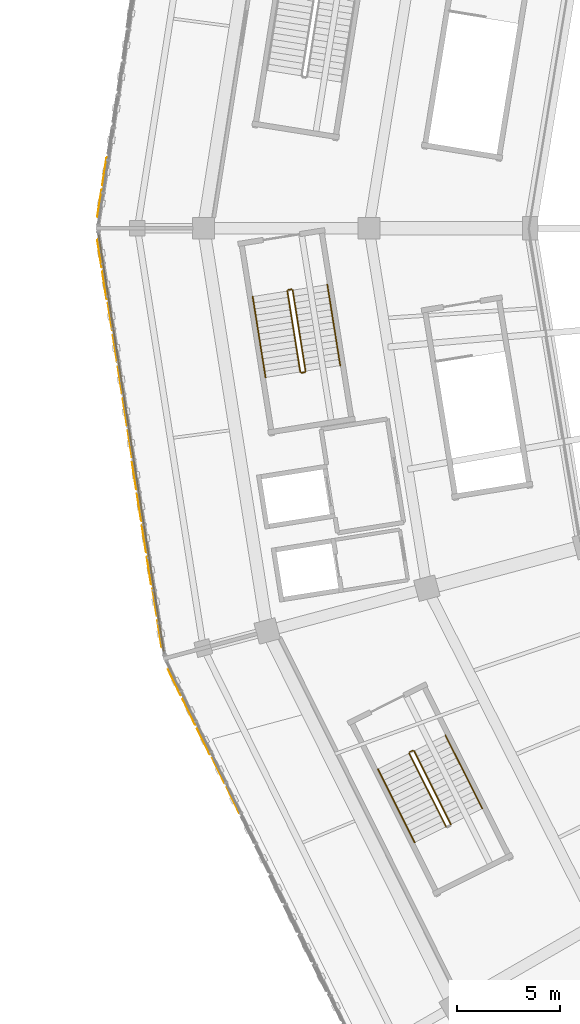
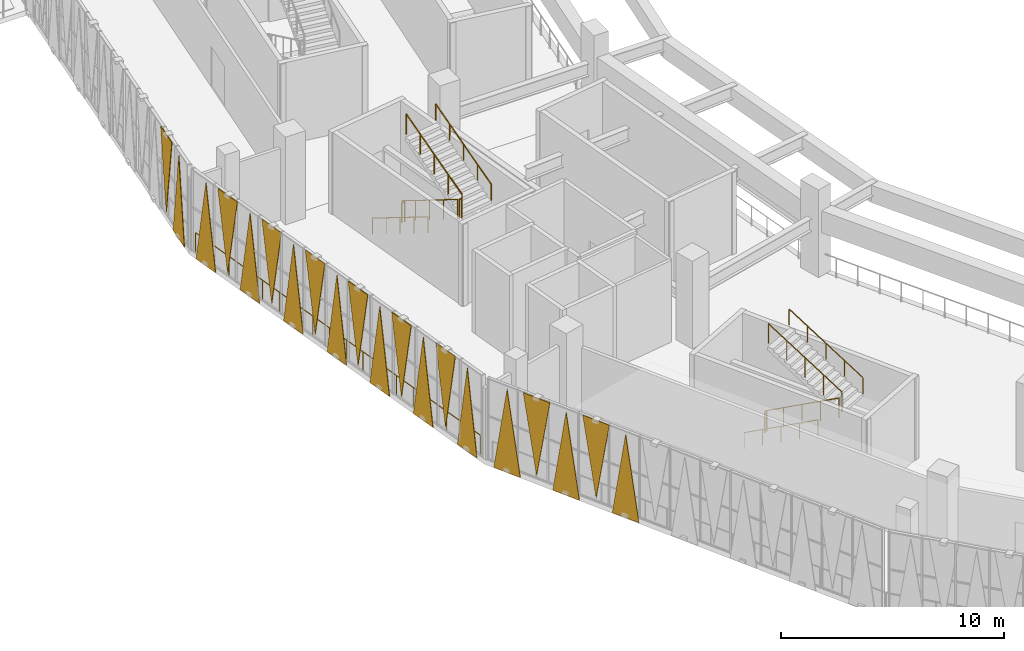
# One storey, part 136 of 179: 20 coverings, 12 railings.
"""IFC4 building model written with IfcOpenShell, lengths in metres."""

from ifc_helpers import new_model, si_unit, direction, frame, origin, origin_2d, place, context, subcontext, project, spatial, polyline, circle, outline, extrude, material, layer, layer_set, type_object, element, save


model = new_model("IFC4")

# Units and contexts
model_context = context("Model", 3, precision=1e-05, world=origin(), true_north=direction((0.0, 1.0)))
body_context = subcontext(model_context, "Body", "Model", "MODEL_VIEW")
ifc_project = project(units=[si_unit("LENGTHUNIT", "METRE"), si_unit("AREAUNIT", "SQUARE_METRE"), si_unit("VOLUMEUNIT", "CUBIC_METRE"), si_unit("PLANEANGLEUNIT", "RADIAN"), si_unit("MASSUNIT", "GRAM", prefix="KILO")], contexts=[model_context])

# Site, building, storey
site_placement = place(None, origin())
site = spatial("IfcSite", under=ifc_project, at=site_placement, CompositionType="ELEMENT")
building_placement = place(site_placement, origin())
building = spatial("IfcBuilding", under=site, at=building_placement, Name="Zevraka Park Crest Stadium", CompositionType="ELEMENT")
storey_placement = place(building_placement, frame((0.0, 0.0, 10.199951171875)))
storey = spatial("IfcBuildingStorey", under=building, at=storey_placement, Name="L02", CompositionType="ELEMENT", Elevation=10.199951171875)

# Coverings
ifc_material_1 = material(Name="Architectural golden-bronze perforated aluminium", Category="aluminium")
ifc_layer = layer(ifc_material_1, 0.034912109375)
ifc_layer_set = layer_set([ifc_layer], Name="Architectural golden-bronze perforated aluminium")
covering_type = type_object("IfcCoveringType", Name="CLD01", PredefinedType="CLADDING", material=ifc_layer_set)
covering_1_placement = place(storey_placement, frame((16.821044921875, 94.05810546875, 4.47998046875), z_axis=(0.988028733421, -0.15426992289, 0.000113247605), x_axis=(0.15426992388, 0.988028739757, 0.0)))
element("IfcCovering", 1, at=covering_1_placement, inside=storey, type_object=covering_type, Name="Triangular Golden-Bronze Perforated Cladding L02-11-12", PredefinedType="CLADDING", context=body_context, shape_type="SweptSolid", body=[
    extrude(outline(polyline([(0.0, 0.0), (1.3926483179408142, 0.0), (0.6963994860816766, -4.2600097929423555), (0.0, 0.0)])), origin(), (0.0, 0.0, -1.0), 0.034912109375),
])
covering_2_placement = place(storey_placement, frame((16.797119140625, 93.89990234375, -0.239990234375), z_axis=(0.988001996222, -0.154441050155, 0.000132241406), x_axis=(-0.154441051505, -0.988002004861, 0.0)))
element("IfcCovering", 2, at=covering_2_placement, inside=storey, type_object=covering_type, Name="Triangular Golden-Bronze Perforated Cladding L02-11-13", PredefinedType="CLADDING", context=body_context, shape_type="SweptSolid", body=[
    extrude(outline(polyline([(0.0, 0.0), (1.392686002386334, 0.0), (0.6964372645302674, -4.560058633622674), (0.0, 0.0)])), origin(), (0.0, 0.0, -1.0), 0.034912109375),
])
covering_3_placement = place(storey_placement, frame((16.58203125, 91.47607421875, -0.239990234375), z_axis=(0.988001996222, 0.154441050155, 0.000132241406), x_axis=(0.154441051505, -0.988002004861, 0.0)))
element("IfcCovering", 3, at=covering_3_placement, inside=storey, type_object=covering_type, Name="Triangular Golden-Bronze Perforated Cladding L02-12-1", PredefinedType="CLADDING", context=body_context, shape_type="SweptSolid", body=[
    extrude(outline(polyline([(0.0, 0.0), (1.392686002386334, 0.0), (0.6962487378560668, -4.560058633622674), (0.0, 0.0)])), origin(), (0.0, 0.0, -1.0), 0.034912109375),
])
covering_4_placement = place(storey_placement, frame((17.035888671875, 88.56591796875, 4.47998046875), z_axis=(0.988028733421, 0.15426992289, 0.000113247605), x_axis=(-0.15426992388, 0.988028739757, 0.0)))
element("IfcCovering", 4, at=covering_4_placement, inside=storey, type_object=covering_type, Name="Triangular Golden-Bronze Perforated Cladding L02-12-2", PredefinedType="CLADDING", context=body_context, shape_type="SweptSolid", body=[
    extrude(outline(polyline([(0.0, 0.0), (1.3926483179408142, 0.0), (0.6962488318591378, -4.2600097929423555), (0.0, 0.0)])), origin(), (0.0, 0.0, -1.0), 0.034912109375),
])
covering_5_placement = place(storey_placement, frame((17.06103515625, 88.407958984375, -0.239990234375), z_axis=(-0.988028734228, -0.154269923016, 0.000105795988), x_axis=(0.15426992388, -0.988028739757, 0.0)))
element("IfcCovering", 5, at=covering_5_placement, inside=storey, type_object=covering_type, Name="Triangular Golden-Bronze Perforated Cladding L02-12-3", PredefinedType="CLADDING", context=body_context, shape_type="SweptSolid", body=[
    extrude(outline(polyline([(0.0, 0.0), (1.3926483179408142, 3.3881317890172014e-21), (0.6963994860816766, 4.560058619269892), (0.0, 0.0)])), origin(), (0.0, 0.0, -1.0), 0.034912109375),
])
covering_6_placement = place(storey_placement, frame((17.51611328125, 85.4970703125, 4.47998046875), z_axis=(-0.988001994963, -0.154441049958, 0.000141555676), x_axis=(-0.154441051505, 0.988002004861, 0.0)))
element("IfcCovering", 6, at=covering_6_placement, inside=storey, type_object=covering_type, Name="Triangular Golden-Bronze Perforated Cladding L02-12-4", PredefinedType="CLADDING", context=body_context, shape_type="SweptSolid", body=[
    extrude(outline(polyline([(0.0, 0.0), (1.392686002386334, 0.0), (0.6964372645302674, 4.260009808306059), (0.0, 0.0)])), origin(), (0.0, 0.0, -1.0), 0.034912109375),
])
covering_7_placement = place(storey_placement, frame((17.5400390625, 85.339111328125, -0.239990234375), z_axis=(-0.988032905729, -0.154243206855, 0.000101667427), x_axis=(0.154243207652, -0.988032910835, 0.0)))
element("IfcCovering", 7, at=covering_7_placement, inside=storey, type_object=covering_type, Name="Triangular Golden-Bronze Perforated Cladding L02-12-5", PredefinedType="CLADDING", context=body_context, shape_type="SweptSolid", body=[
    extrude(outline(polyline([(0.0, 0.0), (1.3928895364040654, 0.0), (0.696640691754455, 4.560058617316989), (0.0, 0.0)])), origin(), (0.0, 0.0, -1.0), 0.034912109375),
])
covering_8_placement = place(storey_placement, frame((17.9951171875, 82.428955078125, 4.47998046875), z_axis=(-0.988001994963, -0.154441049958, 0.000141555676), x_axis=(-0.154441051505, 0.988002004861, 0.0)))
element("IfcCovering", 8, at=covering_8_placement, inside=storey, type_object=covering_type, Name="Triangular Golden-Bronze Perforated Cladding L02-12-6", PredefinedType="CLADDING", context=body_context, shape_type="SweptSolid", body=[
    extrude(outline(polyline([(0.0, 0.0), (1.392686002386334, 0.0), (0.6964372645302674, 4.260009808306059), (0.0, 0.0)])), origin(), (0.0, 0.0, -1.0), 0.034912109375),
])
covering_9_placement = place(storey_placement, frame((18.02001953125, 82.27099609375, -0.239990234375), z_axis=(-0.988151922623, -0.153478915641, 1.6434192e-05), x_axis=(0.153478915662, -0.988151922756, 0.0)))
element("IfcCovering", 9, at=covering_9_placement, inside=storey, type_object=covering_type, Name="Triangular Golden-Bronze Perforated Cladding L02-12-7", PredefinedType="CLADDING", context=body_context, shape_type="SweptSolid", body=[
    extrude(outline(polyline([(0.0, 0.0), (1.3934629820473974, 0.0), (0.6962489949676653, 4.560058594365796), (0.0, 0.0)])), origin(), (0.0, 0.0, -1.0), 0.034912109375),
])
covering_10_placement = place(storey_placement, frame((18.47412109375, 79.360107421875, 4.47998046875), z_axis=(0.988002001298, 0.154441050948, 8.4933406e-05), x_axis=(-0.154441051505, 0.988002004861, 0.0)))
element("IfcCovering", 10, at=covering_10_placement, inside=storey, type_object=covering_type, Name="Triangular Golden-Bronze Perforated Cladding L02-12-8", PredefinedType="CLADDING", context=body_context, shape_type="SweptSolid", body=[
    extrude(outline(polyline([(0.0, 0.0), (1.392686002386334, 3.3881317890172014e-21), (0.6962864431909069, -4.260009780990182), (0.0, 0.0)])), origin(), (0.0, 0.0, -1.0), 0.034912109375),
])
covering_11_placement = place(storey_placement, frame((18.4990234375, 79.201904296875, -0.239990234375), z_axis=(0.988001996222, 0.154441050155, 0.000132241406), x_axis=(0.154441051505, -0.988002004861, 0.0)))
element("IfcCovering", 11, at=covering_11_placement, inside=storey, type_object=covering_type, Name="Triangular Golden-Bronze Perforated Cladding L02-12-9", PredefinedType="CLADDING", context=body_context, shape_type="SweptSolid", body=[
    extrude(outline(polyline([(0.0, 0.0), (1.392686002386334, 0.0), (0.6962487378560668, -4.560058633622674), (0.0, 0.0)])), origin(), (0.0, 0.0, -1.0), 0.034912109375),
])
covering_12_placement = place(storey_placement, frame((18.952880859375, 76.2919921875, 4.47998046875), z_axis=(0.988028733421, 0.15426992289, 0.000113247605), x_axis=(-0.15426992388, 0.988028739757, 0.0)))
element("IfcCovering", 12, at=covering_12_placement, inside=storey, type_object=covering_type, Name="Triangular Golden-Bronze Perforated Cladding L02-12-10", PredefinedType="CLADDING", context=body_context, shape_type="SweptSolid", body=[
    extrude(outline(polyline([(0.0, 0.0), (1.3926483179408142, 0.0), (0.6962488318591378, -4.2600097929423555), (0.0, 0.0)])), origin(), (0.0, 0.0, -1.0), 0.034912109375),
])
covering_13_placement = place(storey_placement, frame((18.97802734375, 76.133056640625, -0.239990234375), z_axis=(0.988001996222, 0.154441050155, 0.000132241406), x_axis=(0.154441051505, -0.988002004861, 0.0)))
element("IfcCovering", 13, at=covering_13_placement, inside=storey, type_object=covering_type, Name="Triangular Golden-Bronze Perforated Cladding L02-12-11", PredefinedType="CLADDING", context=body_context, shape_type="SweptSolid", body=[
    extrude(outline(polyline([(0.0, 0.0), (1.392686002386334, 0.0), (0.6962487378560668, -4.560058633622674), (0.0, 0.0)])), origin(), (0.0, 0.0, -1.0), 0.034912109375),
])
covering_14_placement = place(storey_placement, frame((19.43310546875, 73.222900390625, 4.47998046875), z_axis=(-0.988006174558, -0.154414305444, 0.000145981007), x_axis=(-0.154414307089, 0.988006185085, 0.0)))
element("IfcCovering", 14, at=covering_14_placement, inside=storey, type_object=covering_type, Name="Triangular Golden-Bronze Perforated Cladding L02-12-12", PredefinedType="CLADDING", context=body_context, shape_type="SweptSolid", body=[
    extrude(outline(polyline([(0.0, 0.0), (1.3929272143236278, 0.0), (0.6964372479516526, 4.260009811016373), (0.0, 0.0)])), origin(), (0.0, 0.0, -1.0), 0.034912109375),
])
covering_15_placement = place(storey_placement, frame((19.45703125, 73.06494140625, -0.239990234375), z_axis=(-0.988002001751, -0.154441051019, 7.9344844e-05), x_axis=(0.154441051505, -0.988002004861, 0.0)))
element("IfcCovering", 15, at=covering_15_placement, inside=storey, type_object=covering_type, Name="Triangular Golden-Bronze Perforated Cladding L02-12-13", PredefinedType="CLADDING", context=body_context, shape_type="SweptSolid", body=[
    extrude(outline(polyline([(0.0, 0.0), (1.392686002386334, 0.0), (0.6963995591954273, 4.560058608104163), (0.0, 0.0)])), origin(), (0.0, 0.0, -1.0), 0.034912109375),
])
covering_16_placement = place(storey_placement, frame((19.988037109375, 70.68896484375, -0.239990234375), z_axis=(0.897302423981, 0.441416274973, 0.000179183893), x_axis=(0.441416282059, -0.897302438386, 0.0)))
element("IfcCovering", 16, at=covering_16_placement, inside=storey, type_object=covering_type, Name="Triangular Golden-Bronze Perforated Cladding L02-13-1", PredefinedType="CLADDING", context=body_context, shape_type="SweptSolid", body=[
    extrude(outline(polyline([(0.0, 0.0), (1.4341488213161262, 0.0), (0.7173526614858992, -4.560058666954599), (0.0, 0.0)])), origin(), (0.0, 0.0, -1.0), 0.034912109375),
])
covering_17_placement = place(storey_placement, frame((21.323974609375, 67.969970703125, 4.47998046875), z_axis=(0.897468090022, 0.441079370248, 0.000128584459), x_axis=(-0.441079373894, 0.897468097441, 0.0)))
element("IfcCovering", 17, at=covering_17_placement, inside=storey, type_object=covering_type, Name="Triangular Golden-Bronze Perforated Cladding L02-13-2", PredefinedType="CLADDING", context=body_context, shape_type="SweptSolid", body=[
    extrude(outline(polyline([(0.0, 0.0), (1.4352442623555979, 0.0), (0.7173529176927561, -4.260009800842423), (0.0, 0.0)])), origin(), (0.0, 0.0, -1.0), 0.034912109375),
])
covering_18_placement = place(storey_placement, frame((21.39501953125, 67.826904296875, -0.239990234375), z_axis=(0.897704327288, 0.44059838926, 1.223648e-05), x_axis=(0.440598389293, -0.897704327355, 0.0)))
element("IfcCovering", 18, at=covering_18_placement, inside=storey, type_object=covering_type, Name="Triangular Golden-Bronze Perforated Cladding L02-13-3", PredefinedType="CLADDING", context=body_context, shape_type="SweptSolid", body=[
    extrude(outline(polyline([(0.0, 0.0), (1.4345946183297689, -8.470329472543003e-22), (0.7171339421340435, -4.560058594091393), (0.0, 0.0)])), origin(), (0.0, 0.0, -1.0), 0.034912109375),
])
covering_19_placement = place(storey_placement, frame((22.73095703125, 65.10791015625, 4.47998046875), z_axis=(-0.897335593243, -0.441348860637, 0.000127726581), x_axis=(-0.441348864237, 0.897335600562, 0.0)))
element("IfcCovering", 19, at=covering_19_placement, inside=storey, type_object=covering_type, Name="Triangular Golden-Bronze Perforated Cladding L02-13-4", PredefinedType="CLADDING", context=body_context, shape_type="SweptSolid", body=[
    extrude(outline(polyline([(0.0, 0.0), (1.4343678933426742, 1.3552527156068805e-20), (0.7169074213039619, 4.26000980037407), (0.0, 0.0)])), origin(), (0.0, 0.0, -1.0), 0.034912109375),
])
covering_20_placement = place(storey_placement, frame((22.801025390625, 64.964111328125, -0.239990234375), z_axis=(-0.89746809511, -0.441079372749, 7.2074213e-05), x_axis=(0.441079373894, -0.897468097441, 0.0)))
element("IfcCovering", 20, at=covering_20_placement, inside=storey, type_object=covering_type, Name="Triangular Golden-Bronze Perforated Cladding L02-13-5", PredefinedType="CLADDING", context=body_context, shape_type="SweptSolid", body=[
    extrude(outline(polyline([(0.0, 0.0), (1.4352442623555979, 6.776263578034403e-21), (0.7177836592688246, 4.56005860559405), (0.0, 0.0)])), origin(), (0.0, 0.0, -1.0), 0.034912109375),
])

# Railings
ifc_material_2 = material(Name="Galvanised and bronze-finished steel balustrade", Category="steel")
railing_type_1 = type_object("IfcRailingType", Name="GR01", PredefinedType="GUARDRAIL", material=ifc_material_2)
railing_1_placement = place(storey_placement, frame((19.764892578125, 71.551025390625, 0.0)))
element("IfcRailing", 21, at=railing_1_placement, inside=storey, type_object=railing_type_1, Name="Deck Edge Protection Guardrail GR01 L02-48", PredefinedType="GUARDRAIL", context=body_context, shape_type="SweptSolid", body=[
    extrude(circle(Radius=0.02392578125, at=origin_2d()), frame((0.0, 0.0, 1.076171875), z_axis=(-0.154331460215, 0.988019129566, 0.0), x_axis=(-0.988019129566, -0.154331460215, 0.0)), (0.0, 0.0, 1.0), 20.33251953125),
    extrude(circle(Radius=0.02099609375, at=origin_2d()), origin(), (0.0, 0.0, 1.0), 1.052001953125),
    extrude(circle(Radius=0.02099609375, at=origin_2d()), frame((-0.1845703125, 1.181640625, 0.0)), (0.0, 0.0, 1.0), 1.052001953125),
    extrude(circle(Radius=0.02099609375, at=origin_2d()), frame((-0.369140625, 2.36328125, 0.0)), (0.0, 0.0, 1.0), 1.052001953125),
    extrude(circle(Radius=0.02099609375, at=origin_2d()), frame((-0.5537109375, 3.545166015625, 0.0)), (0.0, 0.0, 1.0), 1.052001953125),
    extrude(circle(Radius=0.02099609375, at=origin_2d()), frame((-0.73828125, 4.726806640625, 0.0)), (0.0, 0.0, 1.0), 1.052001953125),
    extrude(circle(Radius=0.02099609375, at=origin_2d()), frame((-0.9228515625, 5.908447265625, 0.0)), (0.0, 0.0, 1.0), 1.052001953125),
    extrude(circle(Radius=0.02099609375, at=origin_2d()), frame((-1.107421875, 7.090087890625, 0.0)), (0.0, 0.0, 1.0), 1.052001953125),
    extrude(circle(Radius=0.02099609375, at=origin_2d()), frame((-1.2919921875, 8.27197265625, 0.0)), (0.0, 0.0, 1.0), 1.052001953125),
    extrude(circle(Radius=0.02099609375, at=origin_2d()), frame((-1.4765625, 9.45361328125, 0.0)), (0.0, 0.0, 1.0), 1.052001953125),
    extrude(circle(Radius=0.02099609375, at=origin_2d()), frame((-1.661376953125, 10.63525390625, 0.0)), (0.0, 0.0, 1.0), 1.052001953125),
    extrude(circle(Radius=0.02099609375, at=origin_2d()), frame((-1.845947265625, 11.81689453125, 0.0)), (0.0, 0.0, 1.0), 1.052001953125),
    extrude(circle(Radius=0.02099609375, at=origin_2d()), frame((-2.030517578125, 12.998779296875, 0.0)), (0.0, 0.0, 1.0), 1.052001953125),
    extrude(circle(Radius=0.02099609375, at=origin_2d()), frame((-2.215087890625, 14.180419921875, 0.0)), (0.0, 0.0, 1.0), 1.052001953125),
    extrude(circle(Radius=0.02099609375, at=origin_2d()), frame((-2.399658203125, 15.362060546875, 0.0)), (0.0, 0.0, 1.0), 1.052001953125),
    extrude(circle(Radius=0.02099609375, at=origin_2d()), frame((-2.584228515625, 16.543701171875, 0.0)), (0.0, 0.0, 1.0), 1.052001953125),
    extrude(circle(Radius=0.02099609375, at=origin_2d()), frame((-2.768798828125, 17.7255859375, 0.0)), (0.0, 0.0, 1.0), 1.052001953125),
    extrude(circle(Radius=0.02099609375, at=origin_2d()), frame((-2.953369140625, 18.9072265625, 0.0)), (0.0, 0.0, 1.0), 1.052001953125),
    extrude(circle(Radius=0.02099609375, at=origin_2d()), frame((-3.137939453125, 20.0888671875, 0.0)), (0.0, 0.0, 1.0), 1.052001953125),
])
ifc_material_3 = material(Name="Powder-coated tubular steel stairwell guard", Category="steel")
railing_type_2 = type_object("IfcRailingType", Name="GR03", PredefinedType="GUARDRAIL", material=ifc_material_3)
railing_2_placement = place(storey_placement, frame((25.75341796875, 88.960205078125, 0.17138671875)))
element("IfcRailing", 22, at=railing_2_placement, inside=storey, type_object=railing_type_2, Name="L02 ST13 stair guard 1", PredefinedType="GUARDRAIL", context=body_context, shape_type="SweptSolid", body=[
    extrude(circle(Radius=0.02392578125, at=origin_2d()), frame((0.0, 0.0, 1.076171875), z_axis=(0.137090298971, -0.860866959629, 0.490014619931), x_axis=(0.987556409005, 0.157265186968, 0.0)), (0.0, 0.0, 1.0), 4.54833984375),
    extrude(circle(Radius=0.02099609375, at=origin_2d()), origin(), (0.0, 0.0, 1.0), 1.052001953125),
    extrude(circle(Radius=0.02099609375, at=origin_2d()), frame((0.15576171875, -0.97900390625, 0.55712890625)), (0.0, 0.0, 1.0), 1.052001953125),
    extrude(circle(Radius=0.02099609375, at=origin_2d()), frame((0.311767578125, -1.957763671875, 1.1142578125)), (0.0, 0.0, 1.0), 1.052001953125),
    extrude(circle(Radius=0.02099609375, at=origin_2d()), frame((0.4677734375, -2.9365234375, 1.671630859375)), (0.0, 0.0, 1.0), 1.052001953125),
    extrude(circle(Radius=0.02099609375, at=origin_2d()), frame((0.62353515625, -3.91552734375, 2.228759765625)), (0.0, 0.0, 1.0), 1.052001953125),
])
railing_3_placement = place(storey_placement, frame((26.43408203125, 85.003173828125, 2.400146484375)))
element("IfcRailing", 23, at=railing_3_placement, inside=storey, type_object=railing_type_2, Name="L02 ST13 stair guard 2", PredefinedType="GUARDRAIL", context=body_context, shape_type="SweptSolid", body=[
    extrude(circle(Radius=0.02392578125, at=origin_2d()), frame((0.0, 0.0, 1.076171875), z_axis=(0.987601795403, 0.15697991501, 0.0), x_axis=(-0.15697991501, 0.987601795403, 0.0)), (0.0, 0.0, 1.0), 0.16015625),
    extrude(circle(Radius=0.02099609375, at=origin_2d()), origin(), (0.0, 0.0, 1.0), 1.052001953125),
    extrude(circle(Radius=0.02099609375, at=origin_2d()), frame((0.158203125, 0.025146484375, 0.0)), (0.0, 0.0, 1.0), 1.052001953125),
])
railing_4_placement = place(storey_placement, frame((26.6337890625, 85.08544921875, 2.571533203125)))
element("IfcRailing", 24, at=railing_4_placement, inside=storey, type_object=railing_type_2, Name="L02 ST13 stair guard 3", PredefinedType="GUARDRAIL", context=body_context, shape_type="SweptSolid", body=[
    extrude(circle(Radius=0.02392578125, at=origin_2d()), frame((0.0, 0.0, 1.076171875), z_axis=(-0.13708756972, 0.860903496765, 0.489951188881), x_axis=(-0.987557931786, -0.157255624277, 0.0)), (0.0, 0.0, 1.0), 4.54833984375),
    extrude(circle(Radius=0.02099609375, at=origin_2d()), origin(), (0.0, 0.0, 1.0), 1.052001953125),
    extrude(circle(Radius=0.02099609375, at=origin_2d()), frame((-0.15576171875, 0.97900390625, 0.55712890625)), (0.0, 0.0, 1.0), 1.052001953125),
    extrude(circle(Radius=0.02099609375, at=origin_2d()), frame((-0.311767578125, 1.9580078125, 1.1142578125)), (0.0, 0.0, 1.0), 1.052001953125),
    extrude(circle(Radius=0.02099609375, at=origin_2d()), frame((-0.4677734375, 2.936767578125, 1.67138671875)), (0.0, 0.0, 1.0), 1.052001953125),
    extrude(circle(Radius=0.02099609375, at=origin_2d()), frame((-0.62353515625, 3.915771484375, 2.228515625)), (0.0, 0.0, 1.0), 1.052001953125),
])
railing_5_placement = place(storey_placement, frame((25.794921875, 89.017578125, 0.0)))
element("IfcRailing", 25, at=railing_5_placement, inside=storey, type_object=railing_type_2, Name="L02 ST13 stair guard 4", PredefinedType="GUARDRAIL", context=body_context, shape_type="SweptSolid", body=[
    extrude(circle(Radius=0.02392578125, at=origin_2d()), frame((0.0, 0.0, 1.076171875), z_axis=(0.987564153079, 0.157216549872, 0.0), x_axis=(-0.157216549872, 0.987564153079, 0.0)), (0.0, 0.0, 1.0), 0.159912109375),
    extrude(circle(Radius=0.02099609375, at=origin_2d()), origin(), (0.0, 0.0, 1.0), 1.052001953125),
    extrude(circle(Radius=0.02099609375, at=origin_2d()), frame((0.157958984375, 0.025146484375, 0.0)), (0.0, 0.0, 1.0), 1.052001953125),
])
railing_6_placement = place(storey_placement, frame((31.6533203125, 66.586669921875, 0.17138671875)))
element("IfcRailing", 26, at=railing_6_placement, inside=storey, type_object=railing_type_2, Name="L02 ST14 stair guard 1", PredefinedType="GUARDRAIL", context=body_context, shape_type="SweptSolid", body=[
    extrude(circle(Radius=0.02392578125, at=origin_2d()), frame((0.0, 0.0, 1.076171875), z_axis=(0.390489200891, -0.779368137037, 0.490003562191), x_axis=(0.894057440576, 0.447952333346, 0.0)), (0.0, 0.0, 1.0), 4.54833984375),
    extrude(circle(Radius=0.02099609375, at=origin_2d()), origin(), (0.0, 0.0, 1.0), 1.052001953125),
    extrude(circle(Radius=0.02099609375, at=origin_2d()), frame((0.444091796875, -0.88623046875, 0.55712890625)), (0.0, 0.0, 1.0), 1.052001953125),
    extrude(circle(Radius=0.02099609375, at=origin_2d()), frame((0.88818359375, -1.7724609375, 1.1142578125)), (0.0, 0.0, 1.0), 1.052001953125),
    extrude(circle(Radius=0.02099609375, at=origin_2d()), frame((1.33203125, -2.65869140625, 1.671630859375)), (0.0, 0.0, 1.0), 1.052001953125),
    extrude(circle(Radius=0.02099609375, at=origin_2d()), frame((1.776123046875, -3.544921875, 2.228759765625)), (0.0, 0.0, 1.0), 1.052001953125),
])
railing_7_placement = place(storey_placement, frame((33.661865234375, 63.158203125, 2.571533203125)))
element("IfcRailing", 27, at=railing_7_placement, inside=storey, type_object=railing_type_2, Name="L02 ST14 stair guard 3", PredefinedType="GUARDRAIL", context=body_context, shape_type="SweptSolid", body=[
    extrude(circle(Radius=0.02392578125, at=origin_2d()), frame((0.0, 0.0, 1.076171875), z_axis=(-0.39045397791, 0.779404971028, 0.489973042393), x_axis=(-0.894082100069, -0.447903112666, 0.0)), (0.0, 0.0, 1.0), 4.54833984375),
    extrude(circle(Radius=0.02099609375, at=origin_2d()), origin(), (0.0, 0.0, 1.0), 1.052001953125),
    extrude(circle(Radius=0.02099609375, at=origin_2d()), frame((-0.44384765625, 0.88623046875, 0.55712890625)), (0.0, 0.0, 1.0), 1.052001953125),
    extrude(circle(Radius=0.02099609375, at=origin_2d()), frame((-0.887939453125, 1.7724609375, 1.1142578125)), (0.0, 0.0, 1.0), 1.052001953125),
    extrude(circle(Radius=0.02099609375, at=origin_2d()), frame((-1.33203125, 2.65869140625, 1.67138671875)), (0.0, 0.0, 1.0), 1.052001953125),
    extrude(circle(Radius=0.02099609375, at=origin_2d()), frame((-1.77587890625, 3.544921875, 2.228515625)), (0.0, 0.0, 1.0), 1.052001953125),
])
railing_8_placement = place(storey_placement, frame((31.67578125, 66.65380859375, 0.0)))
element("IfcRailing", 28, at=railing_8_placement, inside=storey, type_object=railing_type_2, Name="L02 ST14 stair guard 4", PredefinedType="GUARDRAIL", context=body_context, shape_type="SweptSolid", body=[
    extrude(circle(Radius=0.02392578125, at=origin_2d()), frame((0.0, 0.0, 1.076171875), z_axis=(0.894427191, 0.4472135955, 0.0), x_axis=(-0.4472135955, 0.894427191, 0.0)), (0.0, 0.0, 1.0), 0.159912109375),
    extrude(circle(Radius=0.02099609375, at=origin_2d()), origin(), (0.0, 0.0, 1.0), 1.052001953125),
    extrude(circle(Radius=0.02099609375, at=origin_2d()), frame((0.14306640625, 0.071533203125, 0.0)), (0.0, 0.0, 1.0), 1.052001953125),
])
ifc_material_4 = material(Name="Brushed stainless steel continuous handrail", Category="steel")
railing_type_3 = type_object("IfcRailingType", Name="HR01", PredefinedType="HANDRAIL", material=ifc_material_4)
railing_9_placement = place(storey_placement, frame((24.074462890625, 88.69287109375, 0.17138671875)))
element("IfcRailing", 29, at=railing_9_placement, inside=storey, type_object=railing_type_3, Name="L02 ST13 stair handrail 1", PredefinedType="HANDRAIL", context=body_context, shape_type="SweptSolid", body=[
    extrude(circle(Radius=0.02392578125, at=origin_2d()), frame((0.0, 0.0, 0.8759765625), z_axis=(0.137090298971, -0.860866959629, 0.490014619931), x_axis=(0.987556409005, 0.157265186968, 0.0)), (0.0, 0.0, 1.0), 4.54833984375),
    extrude(circle(Radius=0.02099609375, at=origin_2d()), origin(), (0.0, 0.0, 1.0), 0.851806640625),
    extrude(circle(Radius=0.02099609375, at=origin_2d()), frame((0.15576171875, -0.97900390625, 0.55712890625)), (0.0, 0.0, 1.0), 0.851806640625),
    extrude(circle(Radius=0.02099609375, at=origin_2d()), frame((0.311767578125, -1.957763671875, 1.1142578125)), (0.0, 0.0, 1.0), 0.851806640625),
    extrude(circle(Radius=0.02099609375, at=origin_2d()), frame((0.4677734375, -2.9365234375, 1.671630859375)), (0.0, 0.0, 1.0), 0.851806640625),
    extrude(circle(Radius=0.02099609375, at=origin_2d()), frame((0.62353515625, -3.91552734375, 2.228759765625)), (0.0, 0.0, 1.0), 0.851806640625),
])
railing_10_placement = place(storey_placement, frame((28.3125, 85.352783203125, 2.571533203125)))
element("IfcRailing", 30, at=railing_10_placement, inside=storey, type_object=railing_type_3, Name="L02 ST13 stair handrail 2", PredefinedType="HANDRAIL", context=body_context, shape_type="SweptSolid", body=[
    extrude(circle(Radius=0.02392578125, at=origin_2d()), frame((0.0, 0.0, 0.8759765625), z_axis=(-0.13708756972, 0.860903496765, 0.489951188881), x_axis=(-0.987557931786, -0.157255624277, 0.0)), (0.0, 0.0, 1.0), 4.54833984375),
    extrude(circle(Radius=0.02099609375, at=origin_2d()), origin(), (0.0, 0.0, 1.0), 0.851806640625),
    extrude(circle(Radius=0.02099609375, at=origin_2d()), frame((-0.15576171875, 0.97900390625, 0.55712890625)), (0.0, 0.0, 1.0), 0.851806640625),
    extrude(circle(Radius=0.02099609375, at=origin_2d()), frame((-0.311767578125, 1.9580078125, 1.1142578125)), (0.0, 0.0, 1.0), 0.851806640625),
    extrude(circle(Radius=0.02099609375, at=origin_2d()), frame((-0.4677734375, 2.936767578125, 1.67138671875)), (0.0, 0.0, 1.0), 0.851806640625),
    extrude(circle(Radius=0.02099609375, at=origin_2d()), frame((-0.62353515625, 3.915771484375, 2.228515625)), (0.0, 0.0, 1.0), 0.851806640625),
])
railing_11_placement = place(storey_placement, frame((30.133544921875, 65.8251953125, 0.17138671875)))
element("IfcRailing", 31, at=railing_11_placement, inside=storey, type_object=railing_type_3, Name="L02 ST14 stair handrail 1", PredefinedType="HANDRAIL", context=body_context, shape_type="SweptSolid", body=[
    extrude(circle(Radius=0.02392578125, at=origin_2d()), frame((0.0, 0.0, 0.8759765625), z_axis=(0.390443708506, -0.77938447175, 0.490013832135), x_axis=(0.894082100069, 0.447903112666, 0.0)), (0.0, 0.0, 1.0), 4.54833984375),
    extrude(circle(Radius=0.02099609375, at=origin_2d()), origin(), (0.0, 0.0, 1.0), 0.851806640625),
    extrude(circle(Radius=0.02099609375, at=origin_2d()), frame((0.44384765625, -0.88623046875, 0.55712890625)), (0.0, 0.0, 1.0), 0.851806640625),
    extrude(circle(Radius=0.02099609375, at=origin_2d()), frame((0.887939453125, -1.7724609375, 1.1142578125)), (0.0, 0.0, 1.0), 0.851806640625),
    extrude(circle(Radius=0.02099609375, at=origin_2d()), frame((1.33203125, -2.65869140625, 1.671630859375)), (0.0, 0.0, 1.0), 0.851806640625),
    extrude(circle(Radius=0.02099609375, at=origin_2d()), frame((1.77587890625, -3.544921875, 2.228759765625)), (0.0, 0.0, 1.0), 0.851806640625),
])
railing_12_placement = place(storey_placement, frame((35.181884765625, 63.919677734375, 2.571533203125)))
element("IfcRailing", 32, at=railing_12_placement, inside=storey, type_object=railing_type_3, Name="L02 ST14 stair handrail 2", PredefinedType="HANDRAIL", context=body_context, shape_type="SweptSolid", body=[
    extrude(circle(Radius=0.02392578125, at=origin_2d()), frame((0.0, 0.0, 0.8759765625), z_axis=(-0.390499471061, 0.779388635026, 0.489962772763), x_axis=(-0.894057440576, -0.447952333346, 0.0)), (0.0, 0.0, 1.0), 4.54833984375),
    extrude(circle(Radius=0.02099609375, at=origin_2d()), origin(), (0.0, 0.0, 1.0), 0.851806640625),
    extrude(circle(Radius=0.02099609375, at=origin_2d()), frame((-0.444091796875, 0.88623046875, 0.55712890625)), (0.0, 0.0, 1.0), 0.851806640625),
    extrude(circle(Radius=0.02099609375, at=origin_2d()), frame((-0.88818359375, 1.7724609375, 1.1142578125)), (0.0, 0.0, 1.0), 0.851806640625),
    extrude(circle(Radius=0.02099609375, at=origin_2d()), frame((-1.33203125, 2.65869140625, 1.67138671875)), (0.0, 0.0, 1.0), 0.851806640625),
    extrude(circle(Radius=0.02099609375, at=origin_2d()), frame((-1.776123046875, 3.544921875, 2.228515625)), (0.0, 0.0, 1.0), 0.851806640625),
])

save(model, "model.ifc")
